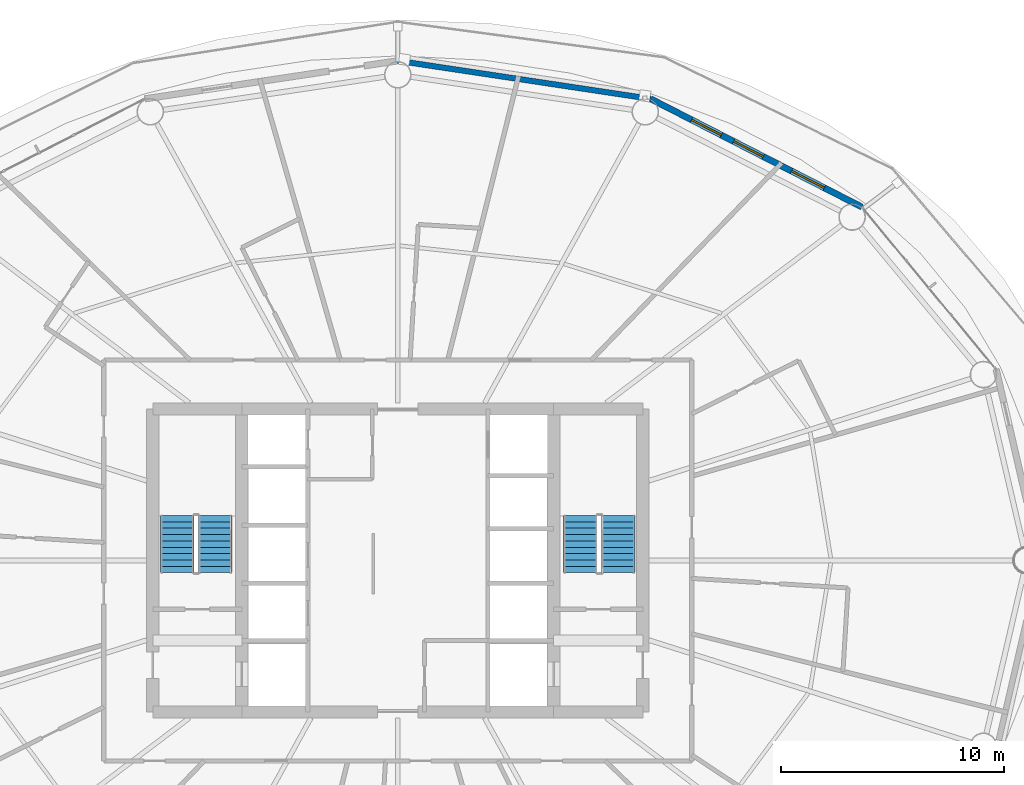
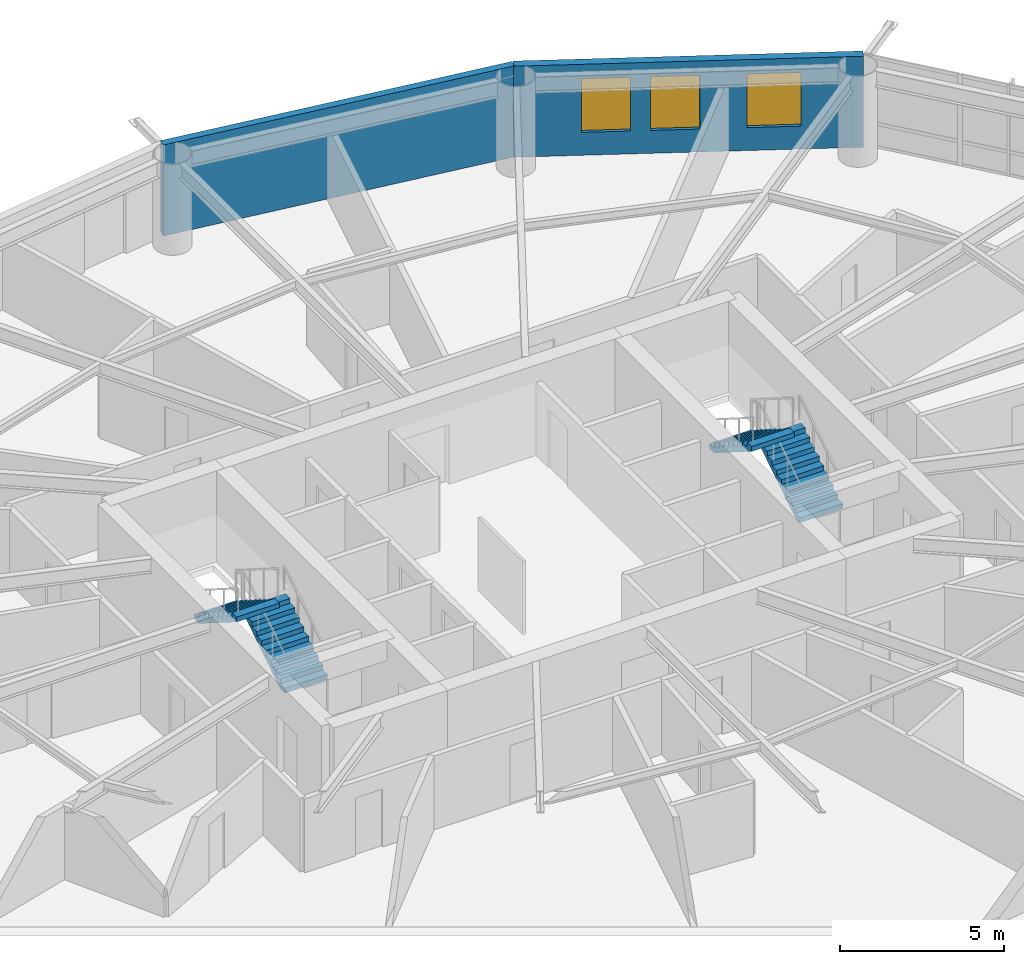
# One storey, part 21 of 24: 4 stair flights, 3 windows, 2 walls, 3 openings, 2 elements without a shape of their own.
"""IFC4 building model written with IfcOpenShell, lengths in metres."""

from ifc_helpers import new_model, si_unit, direction, frame, frame_2d, origin, place, context, subcontext, project, spatial, polyline, rectangle, outline, extrude, material, layer, layer_set, type_object, element, fill, aggregate, save


model = new_model("IFC4")

# Units and contexts
model_context = context("Model", 3, precision=1e-05, world=origin(), true_north=direction((0.0, 1.0)))
body_context = subcontext(model_context, "Body", "Model", "MODEL_VIEW")
ifc_project = project(units=[si_unit("LENGTHUNIT", "METRE"), si_unit("AREAUNIT", "SQUARE_METRE"), si_unit("VOLUMEUNIT", "CUBIC_METRE"), si_unit("PLANEANGLEUNIT", "RADIAN"), si_unit("MASSUNIT", "GRAM", prefix="KILO")], contexts=[model_context])

# Site, building, storey
site_placement = place(None, origin())
site = spatial("IfcSite", under=ifc_project, at=site_placement, CompositionType="ELEMENT")
building_placement = place(site_placement, origin())
building = spatial("IfcBuilding", under=site, at=building_placement, Name="Sarneth Arch Tower", CompositionType="ELEMENT")
storey_placement = place(building_placement, frame((0.0, 0.0, 94.800048828125)))
storey = spatial("IfcBuildingStorey", under=building, at=storey_placement, Name="L23", CompositionType="ELEMENT", Elevation=94.800048828125)

# Wall
ifc_material_1 = material(Name="Extruded terracotta rainscreen on Concrete C40/50 backing", Category="masonry")
ifc_layer_1 = layer(ifc_material_1, 0.25)
ifc_layer_set_1 = layer_set([ifc_layer_1], Name="Extruded terracotta rainscreen on Concrete C40/50 backing")
wall_type_1 = type_object("IfcWallType", Name="WALL-EXT-SPAND-250", PredefinedType="SOLIDWALL", material=ifc_layer_set_1)
wall_1_placement = place(storey_placement, frame((59.351318359375, 62.72265625, 0.0), z_axis=(0.0, 0.0, 1.0), x_axis=(-0.988877774656, 0.148730450117, 0.0)))
element("IfcWall", 1, at=wall_1_placement, inside=storey, type_object=wall_type_1, Name="L23 Terracotta perimeter wall 04", PredefinedType="SOLIDWALL", context=body_context, shape_type="SweptSolid", body=[
    extrude(rectangle(XDim=11.47900390625, YDim=0.25, at=frame_2d((5.739501953125, 0.0))), origin(), (0.0, 0.0, 1.0), 3.3798828125),
])

# Wall, openings, windows
ifc_material_2 = material(Name="Extruded terracotta rainscreen on Concrete C40/50 backing", Category="masonry")
ifc_layer_2 = layer(ifc_material_2, 0.280029296875)
ifc_layer_set_2 = layer_set([ifc_layer_2], Name="Extruded terracotta rainscreen on Concrete C40/50 backing")
wall_type_2 = type_object("IfcWallType", Name="WALL-EXT-TERRA-280", PredefinedType="SOLIDWALL", material=ifc_layer_set_2)
wall_2_placement = place(storey_placement, frame((68.840087890625, 57.8603515625, 0.0), z_axis=(0.0, 0.0, 1.0), x_axis=(-0.889959505023, 0.45603955905, 0.0)))
wall_2 = element("IfcWall", 2, at=wall_2_placement, inside=storey, type_object=wall_type_2, Name="L23 Terracotta perimeter wall 03", PredefinedType="SOLIDWALL", context=body_context, shape_type="SweptSolid", body=[
    extrude(rectangle(XDim=10.662109375, YDim=0.280029296875, at=frame_2d((5.3310546875, 0.0))), origin(), (0.0, 0.0, 1.0), 3.3798828125),
])
opening_1_placement = place(wall_2_placement, frame((1.90380859375, 0.0, 0.85009765625)))
opening_1 = element("IfcOpeningElement", 3, at=opening_1_placement, cuts=wall_2, Name="Opening W-05", PredefinedType="OPENING", context=body_context, shape_type="SweptSolid", body=[
    extrude(rectangle(XDim=1.64990234375, YDim=2.0, at=frame_2d((0.824951171875, 1.0))), frame((0.0, 0.14990234375, 0.0), z_axis=(0.0, -1.0, 0.0), x_axis=(1.0, 0.0, 0.0)), (0.0, 0.0, 1.0), 0.300048828125),
])
opening_2_placement = place(wall_2_placement, frame((4.981689453125, 0.0, 0.85009765625)))
opening_2 = element("IfcOpeningElement", 4, at=opening_2_placement, cuts=wall_2, Name="Opening W-06", PredefinedType="OPENING", context=body_context, shape_type="SweptSolid", body=[
    extrude(rectangle(XDim=1.5, YDim=2.0, at=frame_2d((0.75, 1.0))), frame((0.0, 0.14990234375, 0.0), z_axis=(0.0, -1.0, 0.0), x_axis=(1.0, 0.0, 0.0)), (0.0, 0.0, 1.0), 0.300048828125),
])
opening_3_placement = place(wall_2_placement, frame((7.096435546875, 0.0, 0.85009765625)))
opening_3 = element("IfcOpeningElement", 5, at=opening_3_placement, cuts=wall_2, Name="Opening W-06", PredefinedType="OPENING", context=body_context, shape_type="SweptSolid", body=[
    extrude(rectangle(XDim=1.5, YDim=2.0, at=frame_2d((0.75, 1.0))), frame((0.0, 0.14990234375, 0.0), z_axis=(0.0, -1.0, 0.0), x_axis=(1.0, 0.0, 0.0)), (0.0, 0.0, 1.0), 0.300048828125),
])
ifc_material_3 = material(Name="Thermally broken Aluminium 6063-T6 and low-e laminated IGU", Category="aluminium")
window_type_1 = type_object("IfcWindowType", Name="WIN-TWR-1500x2000", PartitioningType="SINGLE_PANEL", PredefinedType="WINDOW", material=ifc_material_3)
window_1_placement = place(opening_2_placement, origin())
window_1 = element("IfcWindow", 6, at=window_1_placement, inside=storey, type_object=window_type_1, Name="L23 Exterior window 03B", OverallHeight=2.0, OverallWidth=1.5, PartitioningType="SINGLE_PANEL", PredefinedType="WINDOW", context=body_context, shape_type="SweptSolid", body=[
    extrude(rectangle(XDim=1.5, YDim=2.0, at=frame_2d((0.75, 1.0))), frame((0.0, 0.030029296875, 0.0), z_axis=(0.0, -1.0, 0.0), x_axis=(1.0, 0.0, 0.0)), (0.0, 0.0, 1.0), 0.06005859375),
])
fill(opening_2, window_1)
window_2_placement = place(opening_3_placement, origin())
window_2 = element("IfcWindow", 7, at=window_2_placement, inside=storey, type_object=window_type_1, Name="L23 Exterior window 03C", OverallHeight=2.0, OverallWidth=1.5, PartitioningType="SINGLE_PANEL", PredefinedType="WINDOW", context=body_context, shape_type="SweptSolid", body=[
    extrude(rectangle(XDim=1.5, YDim=2.0, at=frame_2d((0.75, 1.0))), frame((0.0, 0.030029296875, 0.0), z_axis=(0.0, -1.0, 0.0), x_axis=(1.0, 0.0, 0.0)), (0.0, 0.0, 1.0), 0.06005859375),
])
fill(opening_3, window_2)
ifc_material_4 = material(Name="Thermally broken Aluminium 6063-T6 and low-e laminated IGU", Category="aluminium")
window_type_2 = type_object("IfcWindowType", Name="WIN-TWR-1650x2000", PartitioningType="DOUBLE_PANEL_VERTICAL", PredefinedType="WINDOW", material=ifc_material_4)
window_3_placement = place(opening_1_placement, origin())
window_3 = element("IfcWindow", 8, at=window_3_placement, inside=storey, type_object=window_type_2, Name="L23 Exterior window 03A", OverallHeight=2.0, OverallWidth=1.64990234375, PartitioningType="SINGLE_PANEL", PredefinedType="WINDOW", context=body_context, shape_type="SweptSolid", body=[
    extrude(rectangle(XDim=1.64990234375, YDim=2.0, at=frame_2d((0.824951171875, 1.0))), frame((0.0, 0.030029296875, 0.0), z_axis=(0.0, -1.0, 0.0), x_axis=(1.0, 0.0, 0.0)), (0.0, 0.0, 1.0), 0.06005859375),
])
fill(opening_1, window_3)

# Stair, stair flights
ifc_material_5 = material(Name="Concrete C50/60", Category="concrete")
stair_type = type_object("IfcStairType", Name="STAIR-CORE-RC", PredefinedType="HALF_TURN_STAIR", material=ifc_material_5)
stair_1_placement = place(storey_placement, origin())
stair_1 = element("IfcStair", 9, at=stair_1_placement, inside=storey, type_object=stair_type, Name="L23 Core Exit Stair 1", PredefinedType="HALF_TURN_STAIR")
ifc_material_6 = material(Name="Concrete C50/60", Category="concrete")
stair_flight_type = type_object("IfcStairFlightType", Name="FLIGHT-RC-1500", PredefinedType="STRAIGHT", material=ifc_material_6)
stair_flight_1_placement = place(storey_placement, frame((39.800048828125, 41.449951171875, 0.0), z_axis=(0.0, 0.0, 1.0), x_axis=(0.0, 1.0, 0.0)))
stair_flight_1 = element("IfcStairFlight", 10, at=stair_flight_1_placement, type_object=stair_flight_type, Name="ST-1 flight 1", NumberOfRisers=10, NumberOfTreads=9, PredefinedType="STRAIGHT", RiserHeight=0.18, TreadLength=0.285, context=body_context, shape_type="SweptSolid", body=[
    extrude(outline(polyline([(0.0, 0.0), (0.0, 0.179931640625), (0.284912109375, 0.179931640625), (0.284912109375, 0.360107421875), (0.570068359375, 0.360107421875), (0.570068359375, 0.5400390625), (0.85498046875, 0.5400390625), (0.85498046875, 0.719970703125), (1.139892578125, 0.719970703125), (1.139892578125, 0.89990234375), (1.425048828125, 0.89990234375), (1.425048828125, 1.080078125), (1.7099609375, 1.080078125), (1.7099609375, 1.260009765625), (1.9951171875, 1.260009765625), (1.9951171875, 1.43994140625), (2.280029296875, 1.43994140625), (2.280029296875, 1.6201171875), (2.56494140625, 1.6201171875), (2.56494140625, 1.800048828125), (2.56494140625, 1.442626953125), (0.28076171875, 0.0), (0.0, 0.0)])), frame((0.0, 0.75, 0.0), z_axis=(0.0, -1.0, 0.0), x_axis=(1.0, 0.0, 0.0)), (0.0, 0.0, 1.0), 1.5),
])
stair_flight_2_placement = place(storey_placement, frame((38.10009765625, 44.014892578125, 1.800048828125), z_axis=(0.0, 0.0, 1.0), x_axis=(0.0, -1.0, 0.0)))
stair_flight_2 = element("IfcStairFlight", 11, at=stair_flight_2_placement, type_object=stair_flight_type, Name="ST-1 flight 2", NumberOfRisers=10, NumberOfTreads=9, PredefinedType="STRAIGHT", RiserHeight=0.18, TreadLength=0.285, context=body_context, shape_type="SweptSolid", body=[
    extrude(outline(polyline([(0.0, 0.0), (0.0, 0.179931640625), (0.284912109375, 0.179931640625), (0.284912109375, 0.360107421875), (0.570068359375, 0.360107421875), (0.570068359375, 0.5400390625), (0.85498046875, 0.5400390625), (0.85498046875, 0.719970703125), (1.139892578125, 0.719970703125), (1.139892578125, 0.89990234375), (1.425048828125, 0.89990234375), (1.425048828125, 1.080078125), (1.7099609375, 1.080078125), (1.7099609375, 1.260009765625), (1.9951171875, 1.260009765625), (1.9951171875, 1.43994140625), (2.280029296875, 1.43994140625), (2.280029296875, 1.6201171875), (2.56494140625, 1.6201171875), (2.56494140625, 1.800048828125), (2.56494140625, 1.442626953125), (0.28076171875, 0.0), (0.0, 0.0)])), frame((0.0, 0.75, 0.0), z_axis=(0.0, -1.0, 0.0), x_axis=(1.0, 0.0, 0.0)), (0.0, 0.0, 1.0), 1.5),
])
aggregate(stair_1, [stair_flight_1, stair_flight_2])

stair_2_placement = place(storey_placement, origin())
stair_2 = element("IfcStair", 12, at=stair_2_placement, inside=storey, type_object=stair_type, Name="L23 Core Exit Stair 2", PredefinedType="HALF_TURN_STAIR")
stair_flight_3_placement = place(storey_placement, frame((57.89990234375, 41.449951171875, 0.0), z_axis=(0.0, 0.0, 1.0), x_axis=(0.0, 1.0, 0.0)))
stair_flight_3 = element("IfcStairFlight", 13, at=stair_flight_3_placement, type_object=stair_flight_type, Name="ST-2 flight 1", NumberOfRisers=10, NumberOfTreads=9, PredefinedType="STRAIGHT", RiserHeight=0.18, TreadLength=0.285, context=body_context, shape_type="SweptSolid", body=[
    extrude(outline(polyline([(0.0, 0.0), (0.0, 0.179931640625), (0.284912109375, 0.179931640625), (0.284912109375, 0.360107421875), (0.570068359375, 0.360107421875), (0.570068359375, 0.5400390625), (0.85498046875, 0.5400390625), (0.85498046875, 0.719970703125), (1.139892578125, 0.719970703125), (1.139892578125, 0.89990234375), (1.425048828125, 0.89990234375), (1.425048828125, 1.080078125), (1.7099609375, 1.080078125), (1.7099609375, 1.260009765625), (1.9951171875, 1.260009765625), (1.9951171875, 1.43994140625), (2.280029296875, 1.43994140625), (2.280029296875, 1.6201171875), (2.56494140625, 1.6201171875), (2.56494140625, 1.800048828125), (2.56494140625, 1.442626953125), (0.28076171875, 0.0), (0.0, 0.0)])), frame((0.0, 0.75, 0.0), z_axis=(0.0, -1.0, 0.0), x_axis=(1.0, 0.0, 0.0)), (0.0, 0.0, 1.0), 1.5),
])
stair_flight_4_placement = place(storey_placement, frame((56.199951171875, 44.014892578125, 1.800048828125), z_axis=(0.0, 0.0, 1.0), x_axis=(0.0, -1.0, 0.0)))
stair_flight_4 = element("IfcStairFlight", 14, at=stair_flight_4_placement, type_object=stair_flight_type, Name="ST-2 flight 2", NumberOfRisers=10, NumberOfTreads=9, PredefinedType="STRAIGHT", RiserHeight=0.18, TreadLength=0.285, context=body_context, shape_type="SweptSolid", body=[
    extrude(outline(polyline([(0.0, 0.0), (0.0, 0.179931640625), (0.284912109375, 0.179931640625), (0.284912109375, 0.360107421875), (0.570068359375, 0.360107421875), (0.570068359375, 0.5400390625), (0.85498046875, 0.5400390625), (0.85498046875, 0.719970703125), (1.139892578125, 0.719970703125), (1.139892578125, 0.89990234375), (1.425048828125, 0.89990234375), (1.425048828125, 1.080078125), (1.7099609375, 1.080078125), (1.7099609375, 1.260009765625), (1.9951171875, 1.260009765625), (1.9951171875, 1.43994140625), (2.280029296875, 1.43994140625), (2.280029296875, 1.6201171875), (2.56494140625, 1.6201171875), (2.56494140625, 1.800048828125), (2.56494140625, 1.442626953125), (0.28076171875, 0.0), (0.0, 0.0)])), frame((0.0, 0.75, 0.0), z_axis=(0.0, -1.0, 0.0), x_axis=(1.0, 0.0, 0.0)), (0.0, 0.0, 1.0), 1.5),
])
aggregate(stair_2, [stair_flight_3, stair_flight_4])

save(model, "model.ifc")
